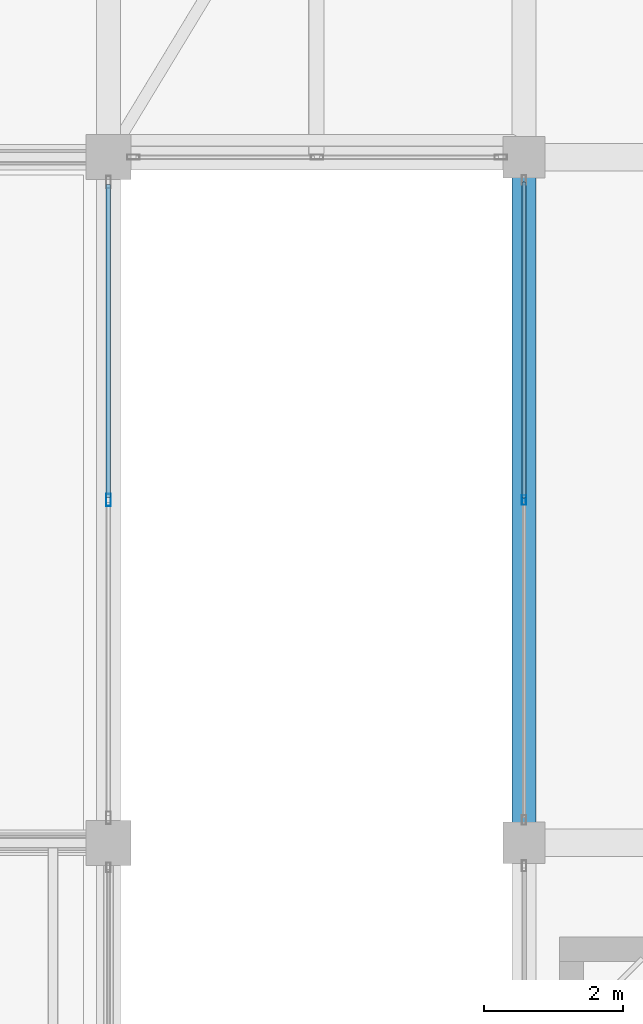
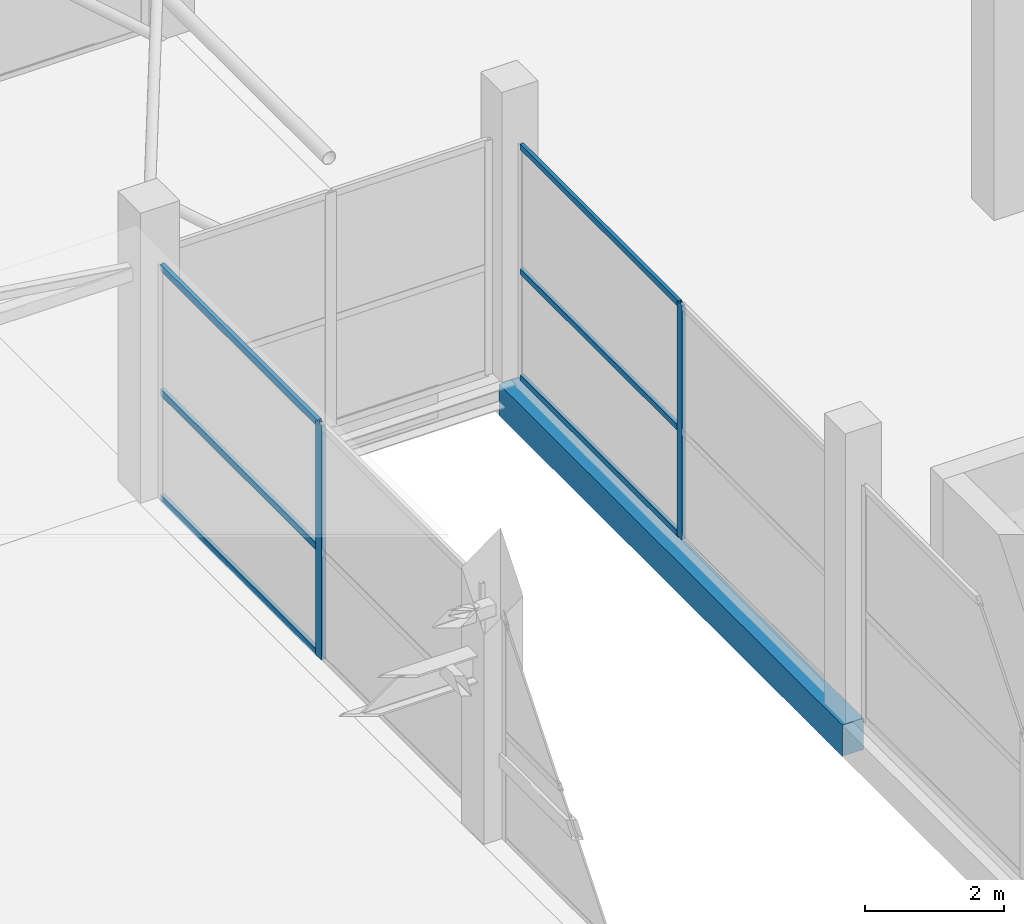
# One storey, part 31 of 66: 8 members, 1 beam, 2 elements without a shape of their own.
"""IFC4 building model written with IfcOpenShell, lengths in metres."""

from ifc_helpers import new_model, si_unit, direction, frame, origin, origin_2d, place, context, subcontext, project, spatial, rectangle, hollow_rectangle, extrude, material, layer, layer_set, material_profile, profile_set, type_object, element, aggregate, save


model = new_model("IFC4")

# Units and contexts
model_context = context("Model", 3, precision=1e-05, world=origin(), true_north=direction((0.0, 1.0)))
body_context = subcontext(model_context, "Body", "Model", "MODEL_VIEW")
ifc_project = project(units=[si_unit("LENGTHUNIT", "METRE"), si_unit("AREAUNIT", "SQUARE_METRE"), si_unit("VOLUMEUNIT", "CUBIC_METRE"), si_unit("PLANEANGLEUNIT", "RADIAN"), si_unit("MASSUNIT", "GRAM", prefix="KILO")], contexts=[model_context])

# Site, building, storey
site_placement = place(None, origin())
site = spatial("IfcSite", under=ifc_project, at=site_placement, CompositionType="ELEMENT")
building_placement = place(site_placement, origin())
building = spatial("IfcBuilding", under=site, at=building_placement, Name="Sillaruma Civic Art Gallery", CompositionType="ELEMENT")
storey_placement = place(building_placement, frame((0.0, 0.0, 57.1201171875)))
storey = spatial("IfcBuildingStorey", under=building, at=storey_placement, Name="L11", CompositionType="ELEMENT", Elevation=57.1201171875)

# Beam
ifc_material_1 = material(Name="Concrete H35 (35 MPa)", Category="concrete")
ifc_material_profile_1 = material_profile(ifc_material_1, rectangle(XDim=0.35009765625, YDim=0.550048828125, at=origin_2d()), Name="RCB350x550")
ifc_profile_set_1 = profile_set([ifc_material_profile_1], Name="Concrete H35 (35 MPa)")
beam_type = type_object("IfcBeamType", Name="BM-SPANDREL-RCB350x550", PredefinedType="SPANDREL", material=ifc_profile_set_1)
beam_placement = place(storey_placement, frame((98.0, 59.39990234375, -0.525146484375), z_axis=(0.0, 1.0, 0.0), x_axis=(-1.0, 0.0, 0.0)))
element("IfcBeam", 1, at=beam_placement, inside=storey, type_object=beam_type, Name="Beam BS-04 (L10:L:7-8)", PredefinedType="SPANDREL", context=body_context, shape_type="SweptSolid", body=[
    extrude(rectangle(XDim=0.35009765625, YDim=0.550048828125, at=origin_2d()), origin(), (0.0, 0.0, 1.0), 9.900146484375),
])

# Curtain wall, member
ifc_material_2 = material(Name="Thermally Broken Extruded Aluminium 6063-T6", Category="aluminium")
ifc_layer_1 = layer(ifc_material_2, 0.139892578125, Name="Thermally Broken Extruded Aluminium 6063-T6")
ifc_layer_set_1 = layer_set([ifc_layer_1], Name="Thermally Broken Extruded Aluminium 6063-T6")
curtain_wall_type_1 = type_object("IfcCurtainWallType", Name="CW-UNI-77", PredefinedType="NOTDEFINED", material=ifc_layer_set_1)
curtain_wall_1_placement = place(storey_placement, origin())
curtain_wall_1 = element("IfcCurtainWall", 2, at=curtain_wall_1_placement, inside=storey, type_object=curtain_wall_type_1, Name="Unitised Curtain Wall CW-77 (CW-L11-EBW-5)", PredefinedType="NOTDEFINED")
ifc_material_profile_2 = material_profile(ifc_material_2, hollow_rectangle(XDim=0.06005859375, YDim=0.139892578125, WallThickness=0.00341796875, at=origin_2d()), Name="CWM60x140")
ifc_profile_set_2 = profile_set([ifc_material_profile_2], Name="Thermally Broken Extruded Aluminium 6063-T6")
member_type_1 = type_object("IfcMemberType", Name="MEM-MUL-CWM60x140", PredefinedType="MULLION", material=ifc_profile_set_2)
member_1_placement = place(storey_placement, frame((98.0, 64.35009765625, 0.0), z_axis=(0.0, 0.0, 1.0), x_axis=(-1.0, 0.0, 0.0)))
member_1 = element("IfcMember", 3, at=member_1_placement, type_object=member_type_1, Name="CW-77 mullion 2", PredefinedType="MULLION", context=body_context, shape_type="SweptSolid", body=[
    extrude(hollow_rectangle(XDim=0.06005859375, YDim=0.139892578125, WallThickness=0.00341796875, at=origin_2d()), origin(), (0.0, 0.0, 1.0), 4.119873046875),
])

ifc_layer_2 = layer(ifc_material_2, 0.179931640625, Name="Thermally Broken Extruded Aluminium 6063-T6")
ifc_layer_set_2 = layer_set([ifc_layer_2], Name="Thermally Broken Extruded Aluminium 6063-T6")
curtain_wall_type_2 = type_object("IfcCurtainWallType", Name="CW-UNI-72", PredefinedType="NOTDEFINED", material=ifc_layer_set_2)
curtain_wall_2_placement = place(storey_placement, origin())
curtain_wall_2 = element("IfcCurtainWall", 4, at=curtain_wall_2_placement, inside=storey, type_object=curtain_wall_type_2, Name="Unitised Curtain Wall CW-72 (CW-L11-WBE-5)", PredefinedType="NOTDEFINED")
ifc_material_profile_3 = material_profile(ifc_material_2, hollow_rectangle(XDim=0.070068359375, YDim=0.179931640625, WallThickness=0.00390625, at=origin_2d()), Name="CWM70x180")
ifc_profile_set_3 = profile_set([ifc_material_profile_3], Name="Thermally Broken Extruded Aluminium 6063-T6")
member_type_2 = type_object("IfcMemberType", Name="MEM-MUL-CWM70x180", PredefinedType="MULLION", material=ifc_profile_set_3)
member_2_placement = place(storey_placement, frame((92.0, 64.35009765625, 0.0), z_axis=(0.0, 0.0, 1.0), x_axis=(-1.0, 0.0, 0.0)))
member_2 = element("IfcMember", 5, at=member_2_placement, type_object=member_type_2, Name="CW-72 mullion 2", PredefinedType="MULLION", context=body_context, shape_type="SweptSolid", body=[
    extrude(hollow_rectangle(XDim=0.070068359375, YDim=0.179931640625, WallThickness=0.00390625, at=origin_2d()), origin(), (0.0, 0.0, 1.0), 4.119873046875),
])

# Member
ifc_material_profile_4 = material_profile(ifc_material_2, hollow_rectangle(XDim=0.06005859375, YDim=0.10009765625, WallThickness=0.003173828125, at=origin_2d()), Name="CWT60x100")
ifc_profile_set_4 = profile_set([ifc_material_profile_4], Name="Thermally Broken Extruded Aluminium 6063-T6")
member_type_3 = type_object("IfcMemberType", Name="MEM-TRN-CWT60x100", PredefinedType="USERDEFINED", material=ifc_profile_set_4)
member_3_placement = place(storey_placement, frame((98.0, 64.3798828125, 0.02978515625), z_axis=(0.0, 1.0, 0.0), x_axis=(-1.0, 0.0, 0.0)))
member_3 = element("IfcMember", 6, at=member_3_placement, type_object=member_type_3, Name="CW-77 transom 2.1", ObjectType="TRANSOM", PredefinedType="USERDEFINED", context=body_context, shape_type="SweptSolid", body=[
    extrude(hollow_rectangle(XDim=0.06005859375, YDim=0.10009765625, WallThickness=0.003173828125, at=origin_2d()), origin(), (0.0, 0.0, 1.0), 4.56005859375),
])

member_4_placement = place(storey_placement, frame((98.0, 64.3798828125, 1.89501953125), z_axis=(0.0, 1.0, 0.0), x_axis=(-1.0, 0.0, 0.0)))
member_4 = element("IfcMember", 7, at=member_4_placement, type_object=member_type_3, Name="CW-77 transom 2.2", ObjectType="TRANSOM", PredefinedType="USERDEFINED", context=body_context, shape_type="SweptSolid", body=[
    extrude(hollow_rectangle(XDim=0.06005859375, YDim=0.10009765625, WallThickness=0.003173828125, at=origin_2d()), origin(), (0.0, 0.0, 1.0), 4.56005859375),
])

member_5_placement = place(storey_placement, frame((98.0, 64.3798828125, 4.08984375), z_axis=(0.0, 1.0, 0.0), x_axis=(-1.0, 0.0, 0.0)))
member_5 = element("IfcMember", 8, at=member_5_placement, type_object=member_type_3, Name="CW-77 transom 2.3", ObjectType="TRANSOM", PredefinedType="USERDEFINED", context=body_context, shape_type="SweptSolid", body=[
    extrude(hollow_rectangle(XDim=0.06005859375, YDim=0.10009765625, WallThickness=0.003173828125, at=origin_2d()), origin(), (0.0, 0.0, 1.0), 4.56005859375),
])

aggregate(curtain_wall_1, [member_1, member_3, member_4, member_5])

ifc_material_profile_5 = material_profile(ifc_material_2, hollow_rectangle(XDim=0.06494140625, YDim=0.1201171875, WallThickness=0.00341796875, at=origin_2d()), Name="CWT65x120")
ifc_profile_set_5 = profile_set([ifc_material_profile_5], Name="Thermally Broken Extruded Aluminium 6063-T6")
member_type_4 = type_object("IfcMemberType", Name="MEM-TRN-CWT65x120", PredefinedType="USERDEFINED", material=ifc_profile_set_5)
member_6_placement = place(storey_placement, frame((92.0, 64.385009765625, 0.032470703125), z_axis=(0.0, 1.0, 0.0), x_axis=(-1.0, 0.0, 0.0)))
member_6 = element("IfcMember", 9, at=member_6_placement, type_object=member_type_4, Name="CW-72 transom 2.1", ObjectType="TRANSOM", PredefinedType="USERDEFINED", context=body_context, shape_type="SweptSolid", body=[
    extrude(hollow_rectangle(XDim=0.06494140625, YDim=0.1201171875, WallThickness=0.00341796875, at=origin_2d()), origin(), (0.0, 0.0, 1.0), 4.52001953125),
])

member_7_placement = place(storey_placement, frame((92.0, 64.385009765625, 1.89501953125), z_axis=(0.0, 1.0, 0.0), x_axis=(-1.0, 0.0, 0.0)))
member_7 = element("IfcMember", 10, at=member_7_placement, type_object=member_type_4, Name="CW-72 transom 2.2", ObjectType="TRANSOM", PredefinedType="USERDEFINED", context=body_context, shape_type="SweptSolid", body=[
    extrude(hollow_rectangle(XDim=0.06494140625, YDim=0.1201171875, WallThickness=0.00341796875, at=origin_2d()), origin(), (0.0, 0.0, 1.0), 4.52001953125),
])

member_8_placement = place(storey_placement, frame((92.0, 64.385009765625, 4.08740234375), z_axis=(0.0, 1.0, 0.0), x_axis=(-1.0, 0.0, 0.0)))
member_8 = element("IfcMember", 11, at=member_8_placement, type_object=member_type_4, Name="CW-72 transom 2.3", ObjectType="TRANSOM", PredefinedType="USERDEFINED", context=body_context, shape_type="SweptSolid", body=[
    extrude(hollow_rectangle(XDim=0.06494140625, YDim=0.1201171875, WallThickness=0.00341796875, at=origin_2d()), origin(), (0.0, 0.0, 1.0), 4.52001953125),
])

aggregate(curtain_wall_2, [member_2, member_6, member_7, member_8])

save(model, "model.ifc")
